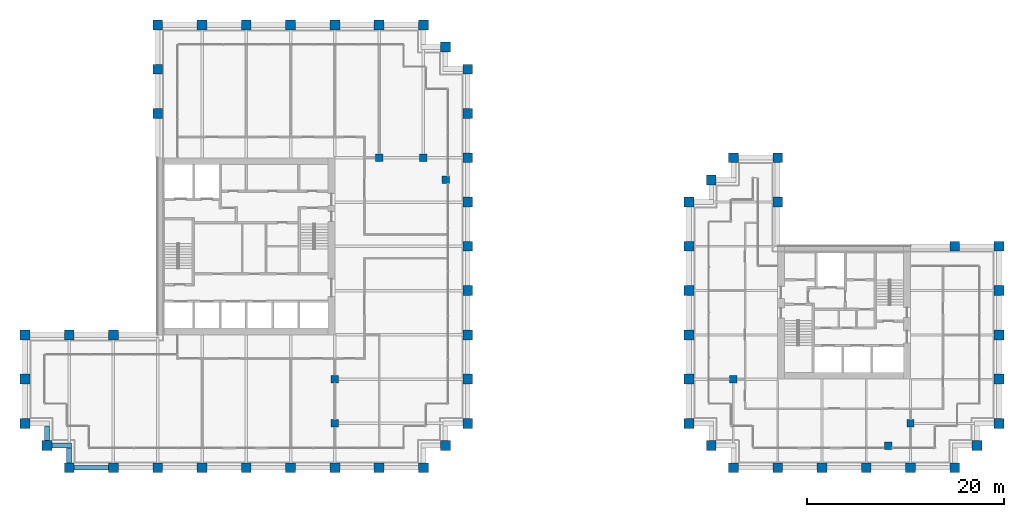
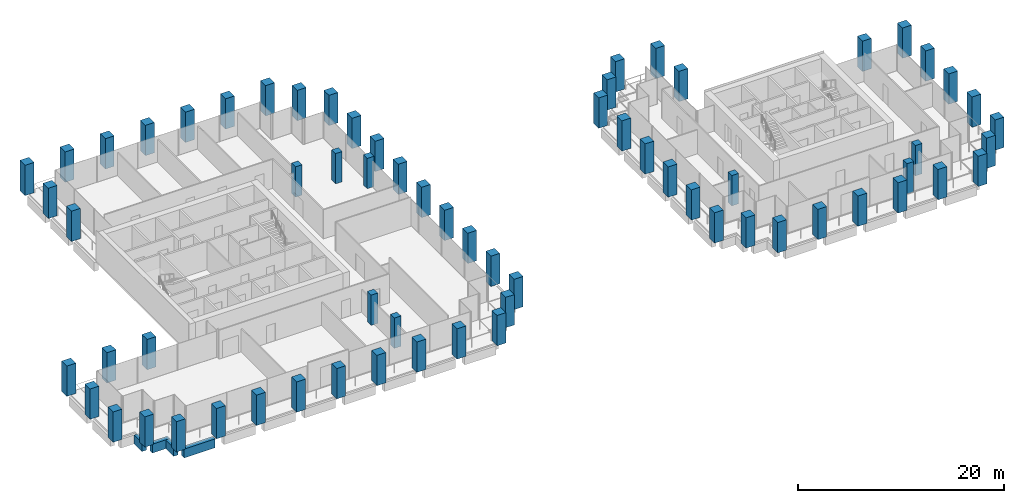
# One storey, part 1 of 46: 67 columns, 4 beams.
"""IFC4 building model written with IfcOpenShell, lengths in metres."""

from ifc_helpers import new_model, si_unit, direction, frame, origin, origin_2d, place, context, subcontext, project, spatial, rectangle, extrude, material, material_profile, profile_set, type_object, element, save


model = new_model("IFC4")

# Units and contexts
model_context = context("Model", 3, precision=1e-05, world=origin(), true_north=direction((0.0, 1.0)))
body_context = subcontext(model_context, "Body", "Model", "MODEL_VIEW")
ifc_project = project(units=[si_unit("LENGTHUNIT", "METRE"), si_unit("AREAUNIT", "SQUARE_METRE"), si_unit("VOLUMEUNIT", "CUBIC_METRE"), si_unit("PLANEANGLEUNIT", "RADIAN"), si_unit("MASSUNIT", "GRAM", prefix="KILO")], contexts=[model_context])

# Site, building, storey
site_placement = place(None, origin())
site = spatial("IfcSite", under=ifc_project, at=site_placement, CompositionType="ELEMENT")
building_placement = place(site_placement, origin())
building = spatial("IfcBuilding", under=site, at=building_placement, Name="Altepetl Exchange Towers", CompositionType="ELEMENT")
storey_placement = place(building_placement, frame((0.0, 0.0, 128.0)))
storey = spatial("IfcBuildingStorey", under=building, at=storey_placement, Name="L31", CompositionType="ELEMENT", Elevation=128.0)

# Columns
ifc_material_1 = material(Name="Concrete C70/85", Category="concrete")
ifc_material_profile_1 = material_profile(ifc_material_1, rectangle(XDim=0.75, YDim=0.75, at=origin_2d()), Name="750 x 750")
ifc_profile_set_1 = profile_set([ifc_material_profile_1], Name="Concrete C70/85")
column_type_1 = type_object("IfcColumnType", Name="Interior column 750", PredefinedType="COLUMN", material=ifc_profile_set_1)
for number, where, name in (
    (1, (58.5, 31.5, 0.0), "col:A:L31:035"),
    (2, (58.5, 36.0, 0.0), "col:A:L31:036"),
    (3, (63.0, 58.5, 0.0), "col:A:L31:037"),
    (4, (67.5, 58.5, 0.0), "col:A:L31:038"),
    (5, (69.75, 56.25, 0.0), "col:A:L31:039"),
    (6, (99.0, 36.0, 0.0), "col:B:L31:024"),
    (7, (114.75, 29.25, 0.0), "col:B:L31:025"),
    (8, (117.0, 31.5, 0.0), "col:B:L31:026"),
):
    element("IfcColumn", number, at=place(storey_placement, frame(where)), inside=storey, type_object=column_type_1, Name=name, PredefinedType="COLUMN", context=body_context, shape_type="SweptSolid", body=[
        extrude(rectangle(XDim=0.75, YDim=0.75, at=origin_2d()), origin(), (0.0, 0.0, 1.0), 3.60009765625),
    ])
ifc_material_2 = material(Name="Concrete C70/85 precast with cantera amarilla facing", Category="concrete")
ifc_material_profile_2 = material_profile(ifc_material_2, rectangle(XDim=1.0, YDim=1.0, at=origin_2d()), Name="1000 x 1000")
ifc_profile_set_2 = profile_set([ifc_material_profile_2], Name="Concrete C70/85 precast with cantera amarilla facing")
column_type_2 = type_object("IfcColumnType", Name="Perimeter column 1000 cantera amarilla", PredefinedType="COLUMN", material=ifc_profile_set_2)
for number, where, name in (
    (9, (58.5, 27.0, 0.0), "col:A:L31:006"),
    (10, (63.0, 27.0, 0.0), "col:A:L31:007"),
    (11, (67.5, 27.0, 0.0), "col:A:L31:008"),
    (12, (69.75, 29.25, 0.0), "col:A:L31:009"),
    (13, (72.0, 31.5, 0.0), "col:A:L31:010"),
    (14, (72.0, 36.0, 0.0), "col:A:L31:011"),
    (15, (72.0, 40.5, 0.0), "col:A:L31:012"),
    (16, (72.0, 45.0, 0.0), "col:A:L31:013"),
    (17, (72.0, 49.5, 0.0), "col:A:L31:014"),
    (18, (72.0, 54.0, 0.0), "col:A:L31:015"),
    (19, (126.0, 49.5, 0.0), "col:B:L31:011"),
    (20, (121.5, 49.5, 0.0), "col:B:L31:012"),
):
    element("IfcColumn", number, at=place(storey_placement, frame(where)), inside=storey, type_object=column_type_2, Name=name, PredefinedType="COLUMN", context=body_context, shape_type="SweptSolid", body=[
        extrude(rectangle(XDim=1.0, YDim=1.0, at=origin_2d()), origin(), (0.0, 0.0, 1.0), 3.60009765625),
    ])
ifc_material_3 = material(Name="Concrete C70/85 precast with cantera blanca facing", Category="concrete")
ifc_material_profile_3 = material_profile(ifc_material_3, rectangle(XDim=1.0, YDim=1.0, at=origin_2d()), Name="1000 x 1000")
ifc_profile_set_3 = profile_set([ifc_material_profile_3], Name="Concrete C70/85 precast with cantera blanca facing")
column_type_3 = type_object("IfcColumnType", Name="Perimeter column 1000 cantera blanca", PredefinedType="COLUMN", material=ifc_profile_set_3)
for number, where, name in (
    (21, (31.5, 27.0, 0.0), "col:A:L31:000"),
    (22, (36.0, 27.0, 0.0), "col:A:L31:001"),
    (23, (40.5, 27.0, 0.0), "col:A:L31:002"),
    (24, (45.0, 27.0, 0.0), "col:A:L31:003"),
    (25, (49.5, 27.0, 0.0), "col:A:L31:004"),
    (26, (54.0, 27.0, 0.0), "col:A:L31:005"),
    (27, (27.0, 36.0, 0.0), "col:A:L31:032"),
    (28, (27.0, 31.5, 0.0), "col:A:L31:033"),
    (29, (29.25, 29.25, 0.0), "col:A:L31:034"),
    (30, (117.0, 27.0, 0.0), "col:B:L31:004"),
    (31, (121.5, 27.0, 0.0), "col:B:L31:005"),
    (32, (123.75, 29.25, 0.0), "col:B:L31:006"),
    (33, (126.0, 31.5, 0.0), "col:B:L31:007"),
    (34, (126.0, 36.0, 0.0), "col:B:L31:008"),
    (35, (126.0, 40.5, 0.0), "col:B:L31:009"),
    (36, (126.0, 45.0, 0.0), "col:B:L31:010"),
):
    element("IfcColumn", number, at=place(storey_placement, frame(where)), inside=storey, type_object=column_type_3, Name=name, PredefinedType="COLUMN", context=body_context, shape_type="SweptSolid", body=[
        extrude(rectangle(XDim=1.0, YDim=1.0, at=origin_2d()), origin(), (0.0, 0.0, 1.0), 3.60009765625),
    ])
ifc_material_4 = material(Name="Concrete C70/85 precast with cantera rosa facing", Category="concrete")
ifc_material_profile_4 = material_profile(ifc_material_4, rectangle(XDim=1.0, YDim=1.0, at=origin_2d()), Name="1000 x 1000")
ifc_profile_set_4 = profile_set([ifc_material_profile_4], Name="Concrete C70/85 precast with cantera rosa facing")
column_type_4 = type_object("IfcColumnType", Name="Perimeter column 1000 cantera rosa", PredefinedType="COLUMN", material=ifc_profile_set_4)
for number, where, name in (
    (37, (72.0, 58.5, 0.0), "col:A:L31:016"),
    (38, (72.0, 63.0, 0.0), "col:A:L31:017"),
    (39, (72.0, 67.5, 0.0), "col:A:L31:018"),
    (40, (69.75, 69.75, 0.0), "col:A:L31:019"),
    (41, (67.5, 72.0, 0.0), "col:A:L31:020"),
    (42, (63.0, 72.0, 0.0), "col:A:L31:021"),
    (43, (58.5, 72.0, 0.0), "col:A:L31:022"),
    (44, (54.0, 72.0, 0.0), "col:A:L31:023"),
    (45, (49.5, 72.0, 0.0), "col:A:L31:024"),
    (46, (45.0, 72.0, 0.0), "col:A:L31:025"),
    (47, (103.5, 54.0, 0.0), "col:B:L31:013"),
    (48, (103.5, 58.5, 0.0), "col:B:L31:014"),
    (49, (99.0, 58.5, 0.0), "col:B:L31:015"),
    (50, (96.75, 56.25, 0.0), "col:B:L31:016"),
    (51, (94.5, 54.0, 0.0), "col:B:L31:017"),
    (52, (94.5, 49.5, 0.0), "col:B:L31:018"),
    (53, (94.5, 45.0, 0.0), "col:B:L31:019"),
    (54, (94.5, 40.5, 0.0), "col:B:L31:020"),
    (55, (94.5, 36.0, 0.0), "col:B:L31:021"),
):
    element("IfcColumn", number, at=place(storey_placement, frame(where)), inside=storey, type_object=column_type_4, Name=name, PredefinedType="COLUMN", context=body_context, shape_type="SweptSolid", body=[
        extrude(rectangle(XDim=1.0, YDim=1.0, at=origin_2d()), origin(), (0.0, 0.0, 1.0), 3.60009765625),
    ])
ifc_material_5 = material(Name="Concrete C70/85 precast with tezontle facing", Category="concrete")
ifc_material_profile_5 = material_profile(ifc_material_5, rectangle(XDim=1.0, YDim=1.0, at=origin_2d()), Name="1000 x 1000")
ifc_profile_set_5 = profile_set([ifc_material_profile_5], Name="Concrete C70/85 precast with tezontle facing")
column_type_5 = type_object("IfcColumnType", Name="Perimeter column 1000 tezontle", PredefinedType="COLUMN", material=ifc_profile_set_5)
for number, where, name in (
    (56, (40.5, 72.0, 0.0), "col:A:L31:026"),
    (57, (40.5, 67.5, 0.0), "col:A:L31:027"),
    (58, (40.5, 63.0, 0.0), "col:A:L31:028"),
    (59, (36.0, 40.5, 0.0), "col:A:L31:029"),
    (60, (31.5, 40.5, 0.0), "col:A:L31:030"),
    (61, (27.0, 40.5, 0.0), "col:A:L31:031"),
    (62, (99.0, 27.0, 0.0), "col:B:L31:000"),
    (63, (103.5, 27.0, 0.0), "col:B:L31:001"),
    (64, (108.0, 27.0, 0.0), "col:B:L31:002"),
    (65, (112.5, 27.0, 0.0), "col:B:L31:003"),
    (66, (94.5, 31.5, 0.0), "col:B:L31:022"),
    (67, (96.75, 29.25, 0.0), "col:B:L31:023"),
):
    element("IfcColumn", number, at=place(storey_placement, frame(where)), inside=storey, type_object=column_type_5, Name=name, PredefinedType="COLUMN", context=body_context, shape_type="SweptSolid", body=[
        extrude(rectangle(XDim=1.0, YDim=1.0, at=origin_2d()), origin(), (0.0, 0.0, 1.0), 3.60009765625),
    ])

# Beams
ifc_material_6 = material(Name="Concrete C50/60 precast with cantera blanca facing", Category="concrete")
ifc_material_profile_6 = material_profile(ifc_material_6, rectangle(XDim=0.5, YDim=1.050048828125, at=origin_2d()), Name="500 x 1050")
ifc_profile_set_6 = profile_set([ifc_material_profile_6], Name="Concrete C50/60 precast with cantera blanca facing")
beam_type = type_object("IfcBeamType", Name="Spandrel beam 500x1050 cantera blanca", PredefinedType="SPANDREL", material=ifc_profile_set_6)
beam_1_placement = place(storey_placement, frame((32.0, 27.0, -0.675048828125), z_axis=(1.0, 0.0, 0.0), x_axis=(0.0, 1.0, 0.0)))
element("IfcBeam", 68, at=beam_1_placement, inside=storey, type_object=beam_type, Name="sp:A:L31:000", PredefinedType="SPANDREL", context=body_context, shape_type="SweptSolid", body=[
    extrude(rectangle(XDim=0.5, YDim=1.050048828125, at=origin_2d()), origin(), (0.0, 0.0, 1.0), 3.5),
])
beam_2_placement = place(storey_placement, frame((29.25, 31.25, -0.675048828125), z_axis=(0.0, -1.0, 0.0), x_axis=(1.0, 0.0, 0.0)))
element("IfcBeam", 69, at=beam_2_placement, inside=storey, type_object=beam_type, Name="sp:A:L31:039", PredefinedType="SPANDREL", context=body_context, shape_type="SweptSolid", body=[
    extrude(rectangle(XDim=0.5, YDim=1.050048828125, at=origin_2d()), origin(), (0.0, 0.0, 1.0), 1.5),
])
beam_3_placement = place(storey_placement, frame((29.75, 29.25, -0.675048828125), z_axis=(1.0, 0.0, 0.0), x_axis=(0.0, 1.0, 0.0)))
element("IfcBeam", 70, at=beam_3_placement, inside=storey, type_object=beam_type, Name="sp:A:L31:040", PredefinedType="SPANDREL", context=body_context, shape_type="SweptSolid", body=[
    extrude(rectangle(XDim=0.5, YDim=1.050048828125, at=origin_2d()), origin(), (0.0, 0.0, 1.0), 2.0),
])
beam_4_placement = place(storey_placement, frame((31.5, 29.0, -0.675048828125), z_axis=(0.0, -1.0, 0.0), x_axis=(1.0, 0.0, 0.0)))
element("IfcBeam", 71, at=beam_4_placement, inside=storey, type_object=beam_type, Name="sp:A:L31:041", PredefinedType="SPANDREL", context=body_context, shape_type="SweptSolid", body=[
    extrude(rectangle(XDim=0.5, YDim=1.050048828125, at=origin_2d()), origin(), (0.0, 0.0, 1.0), 1.5),
])

save(model, "model.ifc")
